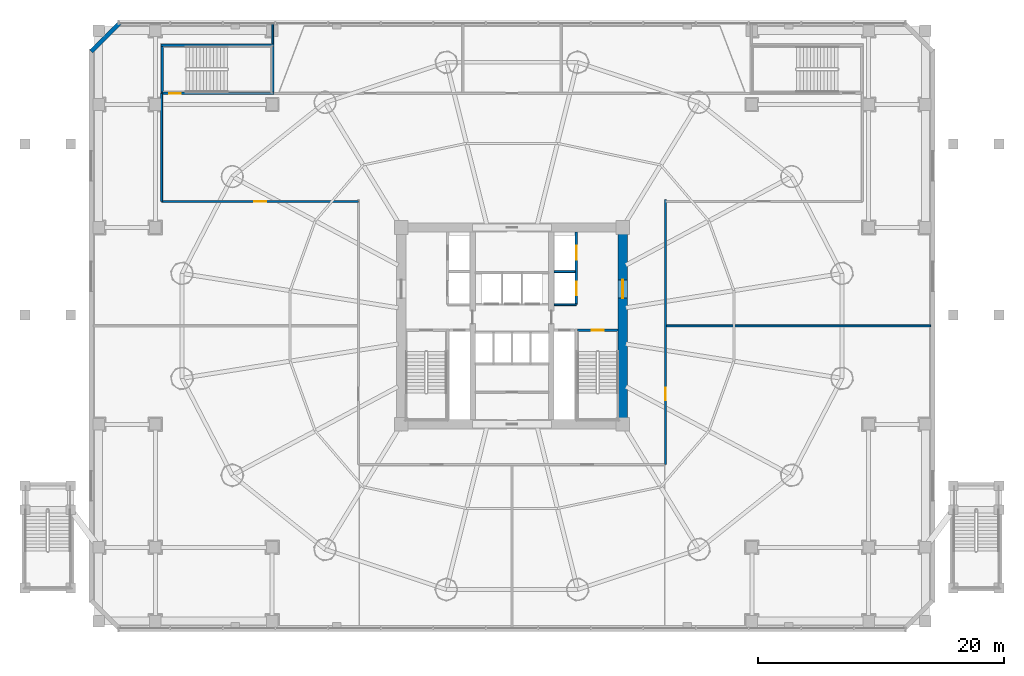
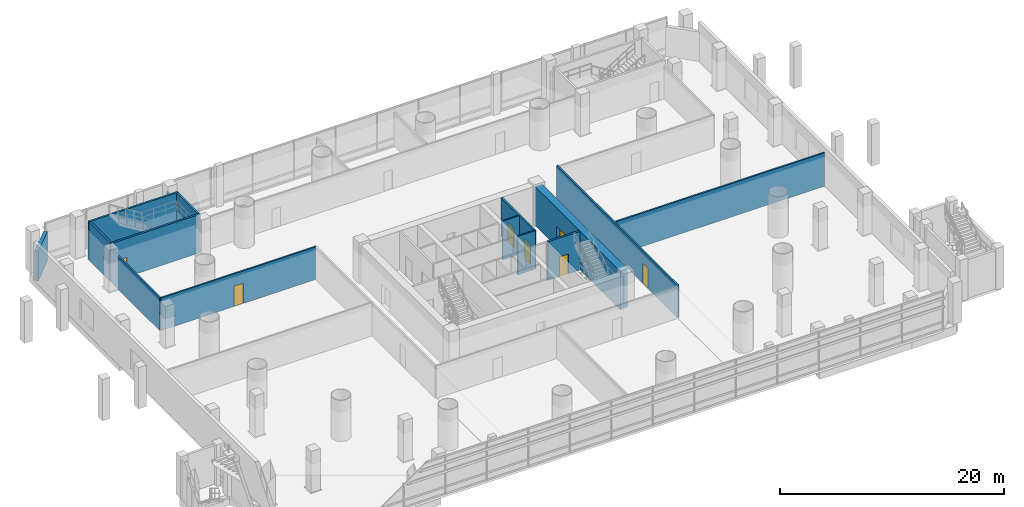
# One storey, part 22 of 36: 15 walls, 7 doors, 7 openings.
"""IFC4 building model written with IfcOpenShell, lengths in metres."""

from ifc_helpers import new_model, si_unit, direction, frame, frame_2d, origin, place, context, subcontext, project, spatial, rectangle, extrude, source, transform, mapped, material, layer, layer_set, type_object, element, fill, save


model = new_model("IFC4")

# Units and contexts
model_context = context("Model", 3, precision=1e-05, world=origin(), true_north=direction((-0.2419218956, 0.970295726276)))
body_context = subcontext(model_context, "Body", "Model", "MODEL_VIEW")
ifc_project = project(units=[si_unit("LENGTHUNIT", "METRE"), si_unit("AREAUNIT", "SQUARE_METRE"), si_unit("VOLUMEUNIT", "CUBIC_METRE"), si_unit("PLANEANGLEUNIT", "RADIAN"), si_unit("MASSUNIT", "GRAM", prefix="KILO")], contexts=[model_context])

# Site, building, storey
site_placement = place(None, origin())
site = spatial("IfcSite", under=ifc_project, at=site_placement, CompositionType="ELEMENT")
building_placement = place(site_placement, origin())
building = spatial("IfcBuilding", under=site, at=building_placement, Name="Cobrevalo Terracotta Tower", CompositionType="ELEMENT")
storey_placement = place(building_placement, frame((0.0, 0.0, 5.39990234375)))
storey = spatial("IfcBuildingStorey", under=building, at=storey_placement, Name="L01", CompositionType="ELEMENT", Elevation=5.39990234375)

# Wall
ifc_material_1 = material(Name="Concrete C45", Category="concrete")
ifc_layer_1 = layer(ifc_material_1, 0.35009765625)
ifc_layer_set_1 = layer_set([ifc_layer_1], Name="Concrete C45")
wall_type_1 = type_object("IfcWallType", Name="Board-marked precast architectural concrete facade wall 350 mm", PredefinedType="SOLIDWALL", material=ifc_layer_set_1)
wall_1_placement = place(storey_placement, frame((6.080078125, 51.39990234375, 0.0), z_axis=(0.0, 0.0, 1.0), x_axis=(-0.707144639935, -0.707068920411, 0.0)))
element("IfcWall", 1, at=wall_1_placement, inside=storey, type_object=wall_type_1, Name="L01 chamfered corner pier NW", PredefinedType="SOLIDWALL", context=body_context, shape_type="SweptSolid", body=[
    extrude(rectangle(XDim=3.224365234375, YDim=0.35009765625, at=frame_2d((1.6123046875, 0.0))), origin(), (0.0, 0.0, 1.0), 3.235107421875),
])

# Wall, opening, door
ifc_material_2 = material(Name="Concrete C60", Category="concrete")
ifc_layer_2 = layer(ifc_material_2, 0.75)
ifc_layer_set_2 = layer_set([ifc_layer_2], Name="Concrete C60")
wall_type_2 = type_object("IfcWallType", Name="Core shear wall 750 mm Concrete C60", PredefinedType="SHEAR", material=ifc_layer_set_2)
wall_2_placement = place(storey_placement, frame((47.0, 19.175048828125, 0.0), z_axis=(0.0, 0.0, 1.0), x_axis=(0.0, 1.0, 0.0)))
wall_2 = element("IfcWall", 2, at=wall_2_placement, inside=storey, type_object=wall_type_2, Name="L01 east core shear wall", PredefinedType="SHEAR", context=body_context, shape_type="SweptSolid", body=[
    extrude(rectangle(XDim=15.25, YDim=0.75, at=frame_2d((7.625, 0.0))), origin(), (0.0, 0.0, 1.0), 4.2001953125),
])
opening_1_placement = place(wall_2_placement, frame((9.875, 0.0, 0.0)))
opening_1 = element("IfcOpeningElement", 3, at=opening_1_placement, cuts=wall_2, Name="Opening ID-14", PredefinedType="OPENING", context=body_context, shape_type="SweptSolid", body=[
    extrude(rectangle(XDim=1.5, YDim=2.199951171875, at=frame_2d((0.75, 1.10009765625))), frame((0.0, 0.385009765625, 0.0), z_axis=(0.0, -1.0, 0.0), x_axis=(1.0, 0.0, 0.0)), (0.0, 0.0, 1.0), 0.77001953125),
])
ifc_material_3 = material(Name="Galvanized fire-rated steel", Category="steel")
door_type_1 = type_object("IfcDoorType", Name="Core cross-lobby double fire door 1500x2200 EI 90", OperationType="NOTDEFINED", PredefinedType="DOOR", material=ifc_material_3)
shared_shape_1 = source(origin(), body_context, "Body", "SweptSolid", [
    extrude(rectangle(XDim=1.5, YDim=2.199951171875, at=frame_2d((0.75, 1.10009765625))), frame((0.0, 0.02490234375, 0.0), z_axis=(0.0, -1.0, 0.0), x_axis=(1.0, 0.0, 0.0)), (0.0, 0.0, 1.0), 0.050048828125),
])
door_1_placement = place(opening_1_placement, frame((1.5, 0.0, 0.0), z_axis=(0.0, 0.0, 1.0), x_axis=(-1.0, 0.0, 0.0)))
door_1 = element("IfcDoor", 4, at=door_1_placement, inside=storey, type_object=door_type_1, Name="L01 east firefighting lobby entrance door", OperationType="DOUBLE_DOOR_SINGLE_SWING", OverallHeight=2.199951171875, OverallWidth=1.5, PredefinedType="DOOR", context=body_context, shape_type="MappedRepresentation", body=[
    mapped(shared_shape_1, transform((0.0, 0.0, 0.0), scale=1.0)),
])
fill(opening_1, door_1)

# Walls
ifc_material_4 = material(Name="Gypsum board on steel stud", Category="steel")
ifc_layer_3 = layer(ifc_material_4, 0.159912109375)
ifc_layer_set_3 = layer_set([ifc_layer_3], Name="Gypsum board on steel stud")
wall_type_3 = type_object("IfcWallType", Name="Fire-rated corridor acoustic partition wall 160 mm", PredefinedType="PARTITIONING", material=ifc_layer_set_3)
wall_3_placement = place(storey_placement, frame((41.425048828125, 31.219970703125, 0.0), z_axis=(0.0, 0.0, 1.0), x_axis=(1.0, 0.0, 0.0)))
element("IfcWall", 5, at=wall_3_placement, inside=storey, type_object=wall_type_3, Name="L01 interior partition IW-L01-FF2-M", PredefinedType="PARTITIONING", context=body_context, shape_type="SweptSolid", body=[
    extrude(rectangle(XDim=1.71484375, YDim=0.159912109375, at=frame_2d((0.857421875, 0.0))), origin(), (0.0, 0.0, 1.0), 4.2001953125),
])
wall_4_placement = place(storey_placement, frame((41.425048828125, 28.52001953125, 0.0), z_axis=(0.0, 0.0, 1.0), x_axis=(1.0, 0.0, 0.0)))
element("IfcWall", 6, at=wall_4_placement, inside=storey, type_object=wall_type_3, Name="L01 interior partition IW-L01-FF2-S", PredefinedType="PARTITIONING", context=body_context, shape_type="SweptSolid", body=[
    extrude(rectangle(XDim=1.804931640625, YDim=0.159912109375, at=frame_2d((0.90234375, 0.0))), origin(), (0.0, 0.0, 1.0), 4.2001953125),
])

# Wall, opening, door
wall_5_placement = place(storey_placement, frame((50.47998046875, 15.52001953125, 0.0), z_axis=(0.0, 0.0, 1.0), x_axis=(0.0, 1.0, 0.0)))
wall_5 = element("IfcWall", 7, at=wall_5_placement, inside=storey, type_object=wall_type_3, Name="L01 interior partition IW-L01-PC-E", PredefinedType="PARTITIONING", context=body_context, shape_type="SweptSolid", body=[
    extrude(rectangle(XDim=21.56005859375, YDim=0.159912109375, at=frame_2d((10.780029296875, 0.0))), origin(), (0.0, 0.0, 1.0), 3.550048828125),
])
opening_2_placement = place(wall_5_placement, frame((5.25439453125, 0.0, 0.0)))
opening_2 = element("IfcOpeningElement", 8, at=opening_2_placement, cuts=wall_5, Name="Opening ID-05", PredefinedType="OPENING", context=body_context, shape_type="SweptSolid", body=[
    extrude(rectangle(XDim=0.97998046875, YDim=2.199951171875, at=frame_2d((0.489990234375, 1.10009765625))), frame((0.0, 0.08984375, 0.0), z_axis=(0.0, -1.0, 0.0), x_axis=(1.0, 0.0, 0.0)), (0.0, 0.0, 1.0), 0.179931640625),
])
ifc_material_5 = material(Name="Solid hardwood timber", Category="wood")
door_type_2 = type_object("IfcDoorType", Name="Residence entrance fire-rated acoustic timber door 980x2200 EI 60", OperationType="NOTDEFINED", PredefinedType="DOOR", material=ifc_material_5)
shared_shape_2 = source(origin(), body_context, "Body", "SweptSolid", [
    extrude(rectangle(XDim=0.97998046875, YDim=2.199951171875, at=frame_2d((0.489990234375, 1.10009765625))), frame((0.0, 0.02490234375, 0.0), z_axis=(0.0, -1.0, 0.0), x_axis=(1.0, 0.0, 0.0)), (0.0, 0.0, 1.0), 0.050048828125),
])
door_2_placement = place(opening_2_placement, frame((0.97998046875, 0.0, 0.0), z_axis=(0.0, 0.0, 1.0), x_axis=(-1.0, 0.0, 0.0)))
door_2 = element("IfcDoor", 9, at=door_2_placement, inside=storey, type_object=door_type_2, Name="L01 Exhibition Atrium door", OperationType="SINGLE_SWING_RIGHT", OverallHeight=2.199951171875, OverallWidth=0.97998046875, PredefinedType="DOOR", context=body_context, shape_type="MappedRepresentation", body=[
    mapped(shared_shape_2, transform((0.0, 0.0, 0.0), scale=1.0)),
])
fill(opening_2, door_2)

wall_6_placement = place(storey_placement, frame((9.52001953125, 36.919921875, 0.0), z_axis=(0.0, 0.0, 1.0), x_axis=(1.0, 0.0, 0.0)))
wall_6 = element("IfcWall", 10, at=wall_6_placement, inside=storey, type_object=wall_type_3, Name="L01 interior partition IW-L01-PC-SW", PredefinedType="PARTITIONING", context=body_context, shape_type="SweptSolid", body=[
    extrude(rectangle(XDim=16.0, YDim=0.159912109375, at=frame_2d((8.0, 0.0))), origin(), (0.0, 0.0, 1.0), 3.550048828125),
])
opening_3_placement = place(wall_6_placement, frame((7.510009765625, 0.0, 0.0)))
opening_3 = element("IfcOpeningElement", 11, at=opening_3_placement, cuts=wall_6, Name="Opening ID-05", PredefinedType="OPENING", context=body_context, shape_type="SweptSolid", body=[
    extrude(rectangle(XDim=0.97998046875, YDim=2.199951171875, at=frame_2d((0.489990234375, 1.10009765625))), frame((0.0, 0.08984375, 0.0), z_axis=(0.0, -1.0, 0.0), x_axis=(1.0, 0.0, 0.0)), (0.0, 0.0, 1.0), 0.179931640625),
])
door_3_placement = place(opening_3_placement, frame((0.97998046875, 0.0, 0.0), z_axis=(0.0, 0.0, 1.0), x_axis=(-1.0, 0.0, 0.0)))
door_3 = element("IfcDoor", 12, at=door_3_placement, inside=storey, type_object=door_type_2, Name="L01 Coastal Brasserie Dining door", OperationType="SINGLE_SWING_LEFT", OverallHeight=2.199951171875, OverallWidth=0.97998046875, PredefinedType="DOOR", context=body_context, shape_type="MappedRepresentation", body=[
    mapped(shared_shape_2, transform((0.0, 0.0, 0.0), scale=1.0)),
])
fill(opening_3, door_3)

# Walls
wall_7_placement = place(storey_placement, frame((9.52001953125, 36.919921875, 0.0), z_axis=(0.0, 0.0, 1.0), x_axis=(0.0, 1.0, 0.0)))
element("IfcWall", 13, at=wall_7_placement, inside=storey, type_object=wall_type_3, Name="L01 interior partition IW-L01-PC-NW", PredefinedType="PARTITIONING", context=body_context, shape_type="SweptSolid", body=[
    extrude(rectangle(XDim=8.780029296875, YDim=0.159912109375, at=frame_2d((4.39013671875, 0.0))), origin(), (0.0, 0.0, 1.0), 3.569091796875),
])
wall_8_placement = place(storey_placement, frame((50.56201171875, 26.800048828125, 0.0), z_axis=(0.0, 0.0, 1.0), x_axis=(1.0, 0.0, 0.0)))
element("IfcWall", 14, at=wall_8_placement, inside=storey, type_object=wall_type_3, Name="L01 interior partition IW-L01-PE-M", PredefinedType="PARTITIONING", context=body_context, shape_type="SweptSolid", body=[
    extrude(rectangle(XDim=21.47802734375, YDim=0.159912109375, at=frame_2d((10.739013671875, 0.0))), origin(), (0.0, 0.0, 1.0), 3.64208984375),
])
wall_9_placement = place(storey_placement, frame((18.550048828125, 49.721923828125, 0.0), z_axis=(0.0, 0.0, 1.0), x_axis=(0.0, 1.0, 0.0)))
element("IfcWall", 15, at=wall_9_placement, inside=storey, type_object=wall_type_3, Name="L01 interior partition IW-L01-PN-W", PredefinedType="PARTITIONING", context=body_context, shape_type="SweptSolid", body=[
    extrude(rectangle(XDim=1.63818359375, YDim=0.159912109375, at=frame_2d((0.819091796875, 0.0))), origin(), (0.0, 0.0, 1.0), 3.235107421875),
])

# Wall, openings, doors
ifc_layer_4 = layer(ifc_material_4, 0.179931640625)
ifc_layer_set_4 = layer_set([ifc_layer_4], Name="Gypsum board on steel stud")
wall_type_4 = type_object("IfcWallType", Name="Fire-rated shaft & lobby acoustic partition wall 180 mm", PredefinedType="PARTITIONING", material=ifc_layer_set_4)
wall_10_placement = place(storey_placement, frame((43.22998046875, 28.52001953125, 0.0), z_axis=(0.0, 0.0, 1.0), x_axis=(0.0, 1.0, 0.0)))
wall_10 = element("IfcWall", 16, at=wall_10_placement, inside=storey, type_object=wall_type_4, Name="L01 interior partition IW-L01-FF2-E", PredefinedType="PARTITIONING", context=body_context, shape_type="SweptSolid", body=[
    extrude(rectangle(XDim=5.905029296875, YDim=0.179931640625, at=frame_2d((2.95263671875, 0.0))), origin(), (0.0, 0.0, 1.0), 4.2001953125),
])
opening_4_placement = place(wall_10_placement, frame((3.655029296875, 0.0, 0.0)))
opening_4 = element("IfcOpeningElement", 17, at=opening_4_placement, cuts=wall_10, Name="Opening LD-02", PredefinedType="OPENING", context=body_context, shape_type="SweptSolid", body=[
    extrude(rectangle(XDim=1.14990234375, YDim=2.199951171875, at=frame_2d((0.574951171875, 1.10009765625))), frame((0.0, 0.10009765625, 0.0), z_axis=(0.0, -1.0, 0.0), x_axis=(1.0, 0.0, 0.0)), (0.0, 0.0, 1.0), 0.199951171875),
])
opening_5_placement = place(wall_10_placement, frame((0.780029296875, 0.0, 0.0)))
opening_5 = element("IfcOpeningElement", 18, at=opening_5_placement, cuts=wall_10, Name="Opening LD-01", PredefinedType="OPENING", context=body_context, shape_type="SweptSolid", body=[
    extrude(rectangle(XDim=1.10009765625, YDim=2.199951171875, at=frame_2d((0.550048828125, 1.10009765625))), frame((0.0, 0.10009765625, 0.0), z_axis=(0.0, -1.0, 0.0), x_axis=(1.0, 0.0, 0.0)), (0.0, 0.0, 1.0), 0.199951171875),
])
ifc_material_6 = material(Name="Brushed stainless steel", Category="steel")
door_type_3 = type_object("IfcDoorType", Name="Firefighting lift landing bi-parting sliding door 1150x2200 EI 120", OperationType="DOUBLE_DOOR_SLIDING", PredefinedType="DOOR", material=ifc_material_6)
shared_shape_3 = source(origin(), body_context, "Body", "SweptSolid", [
    extrude(rectangle(XDim=1.14990234375, YDim=2.199951171875, at=frame_2d((0.574951171875, 1.10009765625))), frame((0.0, 0.02490234375, 0.0), z_axis=(0.0, -1.0, 0.0), x_axis=(1.0, 0.0, 0.0)), (0.0, 0.0, 1.0), 0.050048828125),
])
door_4_placement = place(opening_4_placement, origin())
door_4 = element("IfcDoor", 19, at=door_4_placement, inside=storey, type_object=door_type_3, Name="L01 lift landing door FF-2", OperationType="DOUBLE_DOOR_SLIDING", OverallHeight=2.199951171875, OverallWidth=1.14990234375, PredefinedType="DOOR", context=body_context, shape_type="MappedRepresentation", body=[
    mapped(shared_shape_3, transform((0.0, 0.0, 0.0), scale=1.0)),
])
fill(opening_4, door_4)
door_type_4 = type_object("IfcDoorType", Name="Passenger lift landing bi-parting sliding door 1100x2200 EI 90", OperationType="DOUBLE_DOOR_SLIDING", PredefinedType="DOOR", material=ifc_material_6)
shared_shape_4 = source(origin(), body_context, "Body", "SweptSolid", [
    extrude(rectangle(XDim=1.10009765625, YDim=2.199951171875, at=frame_2d((0.550048828125, 1.10009765625))), frame((0.0, 0.02490234375, 0.0), z_axis=(0.0, -1.0, 0.0), x_axis=(1.0, 0.0, 0.0)), (0.0, 0.0, 1.0), 0.050048828125),
])
door_5_placement = place(opening_5_placement, origin())
door_5 = element("IfcDoor", 20, at=door_5_placement, inside=storey, type_object=door_type_4, Name="L01 lift landing door PL-P1", OperationType="DOUBLE_DOOR_SLIDING", OverallHeight=2.199951171875, OverallWidth=1.10009765625, PredefinedType="DOOR", context=body_context, shape_type="MappedRepresentation", body=[
    mapped(shared_shape_4, transform((0.0, 0.0, 0.0), scale=1.0)),
])
fill(opening_5, door_5)

# Wall, opening, door
ifc_material_7 = material(Name="Concrete C50", Category="concrete")
ifc_layer_5 = layer(ifc_material_7, 0.199951171875)
ifc_layer_set_5 = layer_set([ifc_layer_5], Name="Concrete C50")
wall_type_5 = type_object("IfcWallType", Name="Structural core & podium stair-shaft RC wall 200 mm Concrete C50", PredefinedType="SOLIDWALL", material=ifc_layer_set_5)
wall_11_placement = place(storey_placement, frame((43.304931640625, 26.449951171875, 0.0), z_axis=(0.0, 0.0, 1.0), x_axis=(1.0, 0.0, 0.0)))
wall_11 = element("IfcWall", 21, at=wall_11_placement, inside=storey, type_object=wall_type_5, Name="L01 ST-2 north structural shaft wall", PredefinedType="SOLIDWALL", context=body_context, shape_type="SweptSolid", body=[
    extrude(rectangle(XDim=3.320068359375, YDim=0.199951171875, at=frame_2d((1.66015625, 0.0))), origin(), (0.0, 0.0, 1.0), 4.2001953125),
])
opening_6_placement = place(wall_11_placement, frame((1.18505859375, 0.0, 0.0)))
opening_6 = element("IfcOpeningElement", 22, at=opening_6_placement, cuts=wall_11, Name="Opening ID-04", PredefinedType="OPENING", context=body_context, shape_type="SweptSolid", body=[
    extrude(rectangle(XDim=0.949951171875, YDim=2.14990234375, at=frame_2d((0.47509765625, 1.074951171875))), frame((0.0, 0.10986328125, 0.0), z_axis=(0.0, -1.0, 0.0), x_axis=(1.0, 0.0, 0.0)), (0.0, 0.0, 1.0), 0.219970703125),
])
door_type_5 = type_object("IfcDoorType", Name="Stair & firefighting lobby fire door 950x2150 EI 90", OperationType="NOTDEFINED", PredefinedType="DOOR", material=ifc_material_3)
shared_shape_5 = source(origin(), body_context, "Body", "SweptSolid", [
    extrude(rectangle(XDim=0.949951171875, YDim=2.14990234375, at=frame_2d((0.47509765625, 1.074951171875))), frame((0.0, 0.02490234375, 0.0), z_axis=(0.0, -1.0, 0.0), x_axis=(1.0, 0.0, 0.0)), (0.0, 0.0, 1.0), 0.050048828125),
])
door_6_placement = place(opening_6_placement, frame((0.949951171875, 0.0, 0.0), z_axis=(0.0, 0.0, 1.0), x_axis=(-1.0, 0.0, 0.0)))
door_6 = element("IfcDoor", 23, at=door_6_placement, inside=storey, type_object=door_type_5, Name="L01 protected stair ST2 fire door", OperationType="SINGLE_SWING_RIGHT", OverallHeight=2.14990234375, OverallWidth=0.949951171875, PredefinedType="DOOR", context=body_context, shape_type="MappedRepresentation", body=[
    mapped(shared_shape_5, transform((0.0, 0.0, 0.0), scale=1.0)),
])
fill(opening_6, door_6)

wall_12_placement = place(storey_placement, frame((9.449951171875, 45.699951171875, 0.0), z_axis=(0.0, 0.0, 1.0), x_axis=(1.0, 0.0, 0.0)))
wall_12 = element("IfcWall", 24, at=wall_12_placement, inside=storey, type_object=wall_type_5, Name="L01 STP1 south structural shaft wall", PredefinedType="SOLIDWALL", context=body_context, shape_type="SweptSolid", body=[
    extrude(rectangle(XDim=9.199951171875, YDim=0.199951171875, at=frame_2d((4.60009765625, 0.0))), origin(), (0.0, 0.0, 1.0), 4.2001953125),
])
opening_7_placement = place(wall_12_placement, frame((0.675048828125, 0.0, 0.0)))
opening_7 = element("IfcOpeningElement", 25, at=opening_7_placement, cuts=wall_12, Name="Opening ID-04", PredefinedType="OPENING", context=body_context, shape_type="SweptSolid", body=[
    extrude(rectangle(XDim=0.949951171875, YDim=2.14990234375, at=frame_2d((0.47509765625, 1.074951171875))), frame((0.0, 0.10986328125, 0.0), z_axis=(0.0, -1.0, 0.0), x_axis=(1.0, 0.0, 0.0)), (0.0, 0.0, 1.0), 0.219970703125),
])
door_7_placement = place(opening_7_placement, frame((0.949951171875, 0.0, 0.0), z_axis=(0.0, 0.0, 1.0), x_axis=(-1.0, 0.0, 0.0)))
door_7 = element("IfcDoor", 26, at=door_7_placement, inside=storey, type_object=door_type_5, Name="L01 podium exit stair STP1 fire door", OperationType="SINGLE_SWING_LEFT", OverallHeight=2.14990234375, OverallWidth=0.949951171875, PredefinedType="DOOR", context=body_context, shape_type="MappedRepresentation", body=[
    mapped(shared_shape_5, transform((0.0, 0.0, 0.0), scale=1.0)),
])
fill(opening_7, door_7)

# Walls
wall_13_placement = place(storey_placement, frame((9.449951171875, 49.6201171875, 0.0), z_axis=(0.0, 0.0, 1.0), x_axis=(1.0, 0.0, 0.0)))
element("IfcWall", 27, at=wall_13_placement, inside=storey, type_object=wall_type_5, Name="L01 STP1 north structural shaft wall", PredefinedType="SOLIDWALL", context=body_context, shape_type="SweptSolid", body=[
    extrude(rectangle(XDim=9.199951171875, YDim=0.199951171875, at=frame_2d((4.60009765625, 0.0))), origin(), (0.0, 0.0, 1.0), 4.2001953125),
])
for number, where, z_axis, x_axis, name in (
    (28, (9.550048828125, 45.800048828125, 0.0), (0.0, 0.0, 1.0), (0.0, 1.0, 0.0), "L01 STP1 west structural shaft wall"),
    (29, (18.550048828125, 45.800048828125, 0.0), (0.0, 0.0, 1.0), (0.0, 1.0, 0.0), "L01 STP1 east structural shaft wall"),
):
    element("IfcWall", number, at=place(storey_placement, frame(where, z_axis=z_axis, x_axis=x_axis)), inside=storey, type_object=wall_type_5, Name=name, PredefinedType="SOLIDWALL", context=body_context, shape_type="SweptSolid", body=[
        extrude(rectangle(XDim=3.719970703125, YDim=0.199951171875, at=frame_2d((1.85986328125, 0.0))), origin(), (0.0, 0.0, 1.0), 4.2001953125),
    ])

save(model, "model.ifc")
